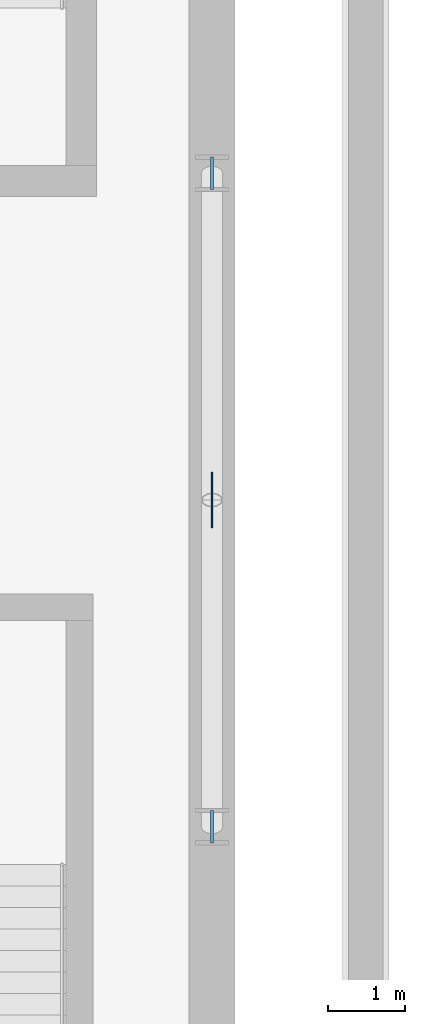
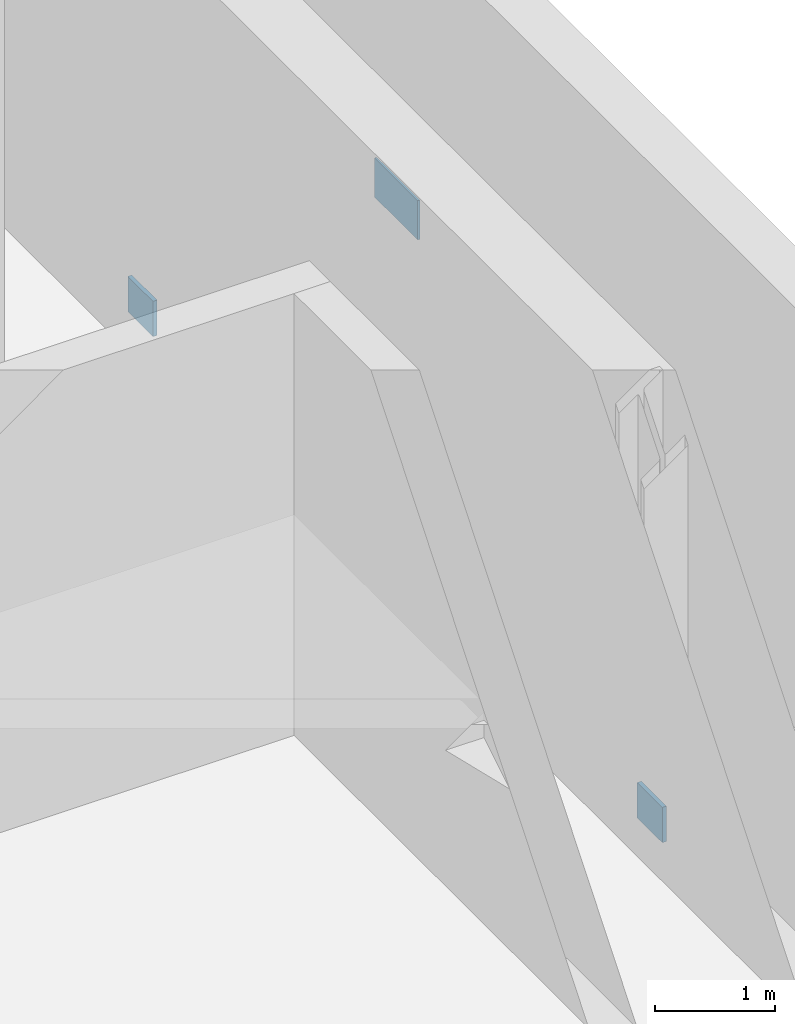
# One storey, part 22 of 45: 3 plates.
"""IFC4 building model written with IfcOpenShell, lengths in metres."""

from ifc_helpers import new_model, si_unit, direction, frame, origin, origin_2d, place, context, subcontext, project, spatial, rectangle, extrude, material, layer, layer_set, type_object, element, save


model = new_model("IFC4")

# Units and contexts
model_context = context("Model", 3, precision=1e-05, world=origin(), true_north=direction((0.0, 1.0)))
body_context = subcontext(model_context, "Body", "Model", "MODEL_VIEW")
ifc_project = project(units=[si_unit("LENGTHUNIT", "METRE"), si_unit("AREAUNIT", "SQUARE_METRE"), si_unit("VOLUMEUNIT", "CUBIC_METRE"), si_unit("PLANEANGLEUNIT", "RADIAN"), si_unit("MASSUNIT", "GRAM", prefix="KILO")], contexts=[model_context])

# Site, building, storey
site_placement = place(None, origin())
site = spatial("IfcSite", under=ifc_project, at=site_placement, CompositionType="ELEMENT")
building_placement = place(site_placement, origin())
building = spatial("IfcBuilding", under=site, at=building_placement, Name="Sefraquen Railside Congress Hotel", CompositionType="ELEMENT")
storey_placement = place(building_placement, frame((0.0, 0.0, -4.5)))
storey = spatial("IfcBuildingStorey", under=building, at=storey_placement, Name="B01", CompositionType="ELEMENT", Elevation=-4.5)

# Plates
ifc_material = material(Name="Steel S355J2", Category="steel")
ifc_layer_1 = layer(ifc_material, 0.02001953125)
ifc_layer_set_1 = layer_set([ifc_layer_1], Name="Steel S355J2")
plate_type_1 = type_object("IfcPlateType", Name="TP-GUS-01", PredefinedType="SHEET", material=ifc_layer_set_1)
plate_placement = place(storey_placement, frame((172.0, 75.25, 3.650146484375), z_axis=(0.0, 0.0, 1.0), x_axis=(0.0, 1.0, 0.0)))
element("IfcPlate", 1, at=plate_placement, inside=storey, type_object=plate_type_1, Name="Chevron braced-frame apex gusset plate BF3 B01", PredefinedType="SHEET", context=body_context, shape_type="SweptSolid", body=[
    extrude(rectangle(XDim=0.719970703125, YDim=0.02001953125, at=origin_2d()), origin(), (0.0, 0.0, 1.0), 0.39990234375),
])
ifc_layer_2 = layer(ifc_material, 0.0400390625)
ifc_layer_set_2 = layer_set([ifc_layer_2], Name="Steel S355J2")
plate_type_2 = type_object("IfcPlateType", Name="TP-GUS-02", PredefinedType="SHEET", material=ifc_layer_set_2)
for number, where, z_axis, x_axis, name in (
    (2, (172.0, 71.0, 0.0), (0.0, 0.0, 1.0), (0.0, 1.0, 0.0), "Chevron braced-frame base gusset plate BF3-L B01"),
    (3, (172.0, 79.5, 0.0), (0.0, 0.0, 1.0), (0.0, 1.0, 0.0), "Chevron braced-frame base gusset plate BF3-R B01"),
):
    element("IfcPlate", number, at=place(storey_placement, frame(where, z_axis=z_axis, x_axis=x_axis)), inside=storey, type_object=plate_type_2, Name=name, PredefinedType="SHEET", context=body_context, shape_type="SweptSolid", body=[
        extrude(rectangle(XDim=0.419921875, YDim=0.0400390625, at=origin_2d()), origin(), (0.0, 0.0, 1.0), 0.360107421875),
    ])

save(model, "model.ifc")
